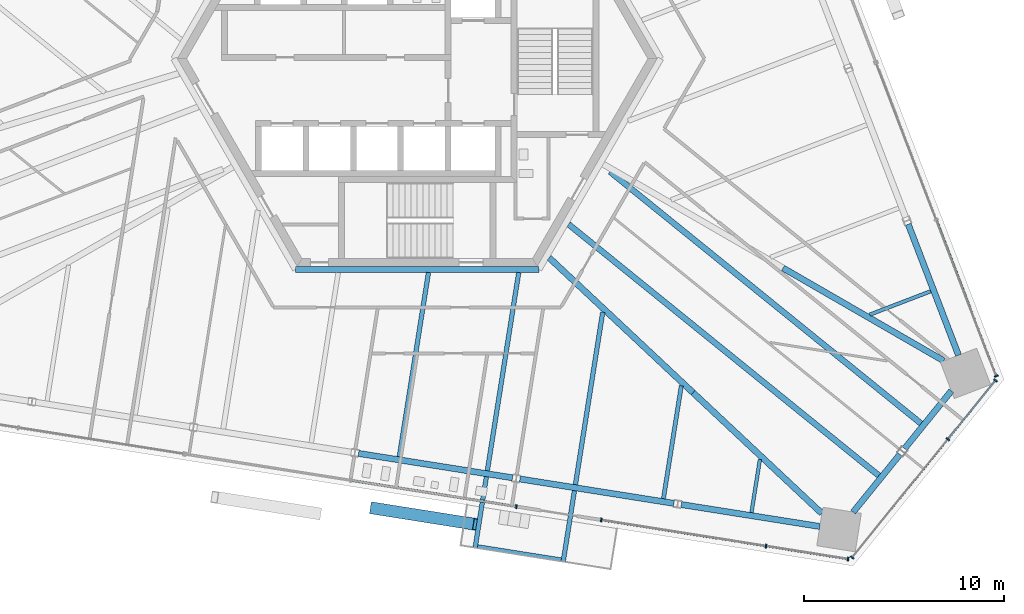
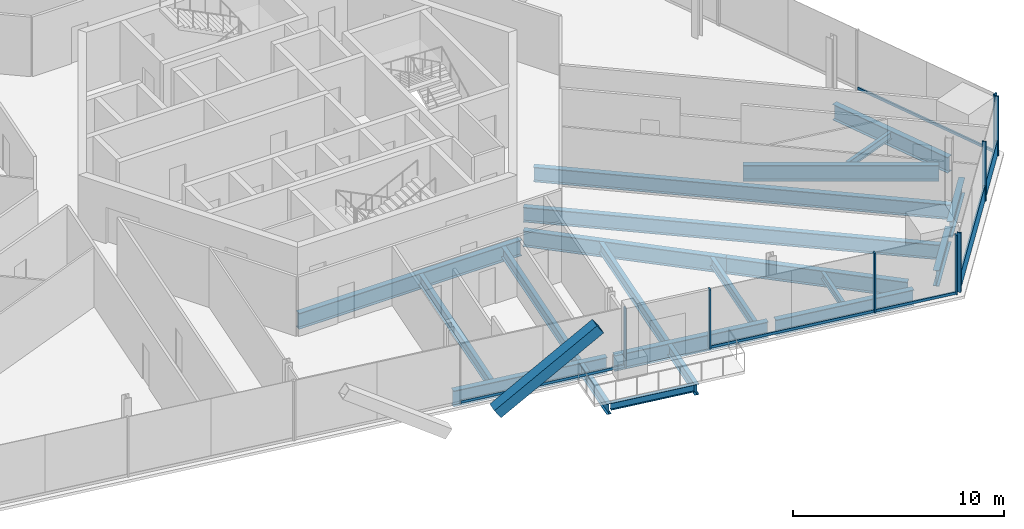
# One storey, part 5 of 18: 21 beams, 15 members, 4 elements without a shape of their own.
"""IFC4 building model written with IfcOpenShell, lengths in metres."""

import ifcopenshell
import ifcopenshell.guid

model = None  # the IFC model being written
_history = None  # IfcOwnerHistory: only IFC2X3 demands one
_inside = {}  # id of a spatial element -> (the spatial element, [elements in it])
_under = {}  # id of a project, library or spatial element -> (it, [spatial elements below it])
_declared = {}  # id of a project -> (the project, [libraries it declares])
_typed = {}  # id of a type object -> (the type object, [elements of that type])
_made_of = {}  # id of a material, layer set ... -> (it, [elements and type objects made of it])


def new_model(schema):
    """Start an empty IFC model of exactly this schema.

    Asked for "IFC4X3", IfcOpenShell would pick the latest addendum, in which some entities
    have other attributes; the version numbers below select the first issue.
    IFC2X3 requires an IfcOwnerHistory on every rooted entity: one is made here for all.
    """
    global model, _history
    if schema == "IFC4X3":
        model = ifcopenshell.file(schema_version=(4, 3, 0, 0))
    else:
        model = ifcopenshell.file(schema=schema)
    _inside.clear()
    _under.clear()
    _declared.clear()
    _typed.clear()
    _made_of.clear()
    _history = None
    if model.schema == "IFC2X3":
        org = make("IfcOrganization", Name="unknown")
        user = make(
            "IfcPersonAndOrganization",
            ThePerson=make("IfcPerson", FamilyName="unknown"),
            TheOrganization=org,
        )
        app = make(
            "IfcApplication",
            ApplicationDeveloper=org,
            Version="unknown",
            ApplicationFullName="unknown",
            ApplicationIdentifier="unknown",
        )
        _history = make(
            "IfcOwnerHistory",
            OwningUser=user,
            OwningApplication=app,
            ChangeAction="ADDED",
            CreationDate=0,
        )
    return model


def make(cls, **values):
    """One entity of the class cls with the attributes given. An attribute that is None is left unset."""
    return model.create_entity(
        cls, **{name: value for name, value in values.items() if value is not None}
    )


def rooted(cls, **values):
    """An entity with a GlobalId (a new one), such as an element, a storey or a relation."""
    return make(cls, GlobalId=ifcopenshell.guid.new(), OwnerHistory=_history, **values)


def si_unit(unit_type, name, prefix=None):
    """IfcSIUnit, for example si_unit("LENGTHUNIT", "METRE", prefix="MILLI")."""
    return make("IfcSIUnit", UnitType=unit_type, Prefix=prefix, Name=name)


def assignment(units):
    """IfcUnitAssignment: the units of a project."""
    return None if units is None else make("IfcUnitAssignment", Units=units)


def point(xyz):
    """IfcCartesianPoint."""
    return None if xyz is None else make("IfcCartesianPoint", Coordinates=xyz)


def direction(xyz):
    """IfcDirection."""
    return None if xyz is None else make("IfcDirection", DirectionRatios=xyz)


def frame(location, z_axis=None, x_axis=None):
    """IfcAxis2Placement3D, a coordinate frame: its origin and axes. An axis left out is left unset."""
    return make(
        "IfcAxis2Placement3D",
        Location=point(location),
        Axis=direction(z_axis),
        RefDirection=direction(x_axis),
    )


def frame_2d(location, x_axis=None):
    """IfcAxis2Placement2D, a coordinate frame in the plane: its origin and x axis."""
    return make(
        "IfcAxis2Placement2D", Location=point(location), RefDirection=direction(x_axis)
    )


def origin():
    """The frame at (0, 0, 0) with its axes left unset."""
    return frame((0.0, 0.0, 0.0))


def origin_2d():
    """The frame at (0, 0) in the plane with its x axis left unset."""
    return frame_2d((0.0, 0.0))


def place(relative_to, where):
    """IfcLocalPlacement: puts the frame where relative to a parent placement (None: the world)."""
    return make(
        "IfcLocalPlacement", PlacementRelTo=relative_to, RelativePlacement=where
    )


def context(
    kind, dimensions, precision=None, world=None, true_north=None, identifier=None
):
    """IfcGeometricRepresentationContext, for example the 3D "Model" context."""
    return make(
        "IfcGeometricRepresentationContext",
        ContextIdentifier=identifier,
        ContextType=kind,
        CoordinateSpaceDimension=dimensions,
        Precision=precision,
        WorldCoordinateSystem=world,
        TrueNorth=true_north,
    )


def subcontext(parent, identifier, kind, view, scale=None):
    """IfcGeometricRepresentationSubContext, for example "Body" below "Model"."""
    return make(
        "IfcGeometricRepresentationSubContext",
        ContextIdentifier=identifier,
        ContextType=kind,
        ParentContext=parent,
        TargetScale=scale,
        TargetView=view,
    )


def project(units=None, contexts=None):
    """IfcProject with its units and contexts."""
    return rooted(
        "IfcProject",
        Name="project",
        RepresentationContexts=contexts,
        UnitsInContext=assignment(units),
    )


def spatial(cls, under=None, at=None, **own):
    """A site, building, storey or space (cls), placed at a placement, below another one or the project."""
    s = rooted(cls, ObjectPlacement=at, **own)
    if under is not None:
        _under.setdefault(under.id(), (under, []))[1].append(s)
    return s


def profile(cls, at=None, kind="AREA", **sizes):
    """A parametric profile (cls). Its sizes go by their IFC names, for example OverallWidth=200.0."""
    return make(cls, ProfileType=kind, Position=at, **sizes)


def rectangle(**sizes):
    """IfcRectangleProfileDef."""
    return profile("IfcRectangleProfileDef", **sizes)


def hollow_rectangle(**sizes):
    """IfcRectangleHollowProfileDef."""
    return profile("IfcRectangleHollowProfileDef", **sizes)


def i_section(**sizes):
    """IfcIShapeProfileDef."""
    return profile("IfcIShapeProfileDef", **sizes)


def extrude(swept, where, along, depth):
    """IfcExtrudedAreaSolid: the profile swept, set in the frame where, extruded along a direction by depth."""
    return make(
        "IfcExtrudedAreaSolid",
        SweptArea=swept,
        Position=where,
        ExtrudedDirection=direction(along),
        Depth=depth,
    )


def shape(context_of_items, identifier, shape_type, items):
    """IfcShapeRepresentation: the items that make up one representation, for example the "Body"."""
    return make(
        "IfcShapeRepresentation",
        ContextOfItems=context_of_items,
        RepresentationIdentifier=identifier,
        RepresentationType=shape_type,
        Items=items,
    )


def source(mapping_origin, context_of_items, identifier, shape_type, items):
    """IfcRepresentationMap: a shape defined once, which mapped items show again and again."""
    return make(
        "IfcRepresentationMap",
        MappingOrigin=mapping_origin,
        MappedRepresentation=shape(context_of_items, identifier, shape_type, items),
    )


def transform(
    local_origin,
    x_axis=None,
    y_axis=None,
    z_axis=None,
    scale=None,
    scale2=None,
    scale3=None,
    uniform=True,
):
    """IfcCartesianTransformationOperator3D, or its non-uniform kind. x_axis, y_axis, z_axis: its Axis1, 2, 3."""
    if uniform:
        return make(
            "IfcCartesianTransformationOperator3D",
            Axis1=direction(x_axis),
            Axis2=direction(y_axis),
            LocalOrigin=point(local_origin),
            Scale=scale,
            Axis3=direction(z_axis),
        )
    return make(
        "IfcCartesianTransformationOperator3DnonUniform",
        Axis1=direction(x_axis),
        Axis2=direction(y_axis),
        LocalOrigin=point(local_origin),
        Scale=scale,
        Axis3=direction(z_axis),
        Scale2=scale2,
        Scale3=scale3,
    )


def mapped(mapping_source, mapping_target):
    """IfcMappedItem: shows the shape of a source again, moved by a transform."""
    return make(
        "IfcMappedItem", MappingSource=mapping_source, MappingTarget=mapping_target
    )


def material(Name=None, Category=None):
    """IfcMaterial."""
    return make("IfcMaterial", Name=Name, Category=Category)


def material_profile(
    of_material, cross_section, Name=None, Category=None, Priority=None
):
    """IfcMaterialProfile: a cross section and its material."""
    return make(
        "IfcMaterialProfile",
        Name=Name,
        Material=of_material,
        Profile=cross_section,
        Priority=Priority,
        Category=Category,
    )


def profile_set(profiles, Name=None, composite=None):
    """IfcMaterialProfileSet."""
    return make(
        "IfcMaterialProfileSet",
        Name=Name,
        MaterialProfiles=profiles,
        CompositeProfile=composite,
    )


def made_of(thing, what):
    """Note that an element or type object is made of a material, layer set ...; save() writes the relation."""
    if what is not None:
        _made_of.setdefault(what.id(), (what, []))[1].append(thing)
    return thing


def type_object(cls, material=None, **own):
    """A type object (cls), such as IfcWallType, which elements share."""
    return made_of(rooted(cls, **own), material)


def element(
    cls,
    number,
    at=None,
    inside=None,
    cuts=None,
    type_object=None,
    material=None,
    context=None,
    identifier="Body",
    shape_type=None,
    held_by="IfcProductDefinitionShape",
    body=None,
    shapes=None,
    **own,
):
    """One element of the class cls, such as IfcWall. Its Tag is "e" and its number.

    at: its placement. inside: the storey or other place that contains it. cuts: it is an
    opening in that element (IfcRelVoidsElement). A single representation is given by context,
    identifier, shape_type and body (its items); several are given by shapes. held_by: the class
    of the entity that holds the representations. save() writes the other relations.
    """
    e = rooted(cls, Tag="e%d" % number, ObjectPlacement=at, **own)
    if body is not None:
        shapes = [shape(context, identifier, shape_type, body)]
    if shapes is not None:
        e.Representation = make(held_by, Representations=shapes)
    if inside is not None:
        _inside.setdefault(inside.id(), (inside, []))[1].append(e)
    if cuts is not None:
        rooted(
            "IfcRelVoidsElement", RelatingBuildingElement=cuts, RelatedOpeningElement=e
        )
    if type_object is not None:
        _typed.setdefault(type_object.id(), (type_object, []))[1].append(e)
    return made_of(e, material)


def aggregate(whole, parts):
    """IfcRelAggregates: a whole, such as a stair, and the parts it consists of."""
    return rooted("IfcRelAggregates", RelatingObject=whole, RelatedObjects=parts)


def save(model, path):
    """Write the relations noted so far, then the file.

    IfcRelAggregates (storeys below a building ...), IfcRelContainedInSpatialStructure (elements
    in a storey), IfcRelDefinesByType, IfcRelAssociatesMaterial and IfcRelDeclares: one each for
    every whole, place, type object, material and project.
    """
    for whole, parts in _under.values():
        aggregate(whole, parts)
    for where, things in _inside.values():
        rooted(
            "IfcRelContainedInSpatialStructure",
            RelatedElements=things,
            RelatingStructure=where,
        )
    for kind, things in _typed.values():
        rooted("IfcRelDefinesByType", RelatedObjects=things, RelatingType=kind)
    for what, things in _made_of.values():
        rooted("IfcRelAssociatesMaterial", RelatedObjects=things, RelatingMaterial=what)
    for by, libraries in _declared.values():
        rooted("IfcRelDeclares", RelatingContext=by, RelatedDefinitions=libraries)
    model.write(path)


model = new_model("IFC4")

# Units and contexts
model_context = context("Model", 3, precision=1e-05, world=origin(), true_north=direction((0.0, 1.0)))
body_context = subcontext(model_context, "Body", "Model", "MODEL_VIEW")
ifc_project = project(units=[si_unit("LENGTHUNIT", "METRE"), si_unit("AREAUNIT", "SQUARE_METRE"), si_unit("VOLUMEUNIT", "CUBIC_METRE"), si_unit("PLANEANGLEUNIT", "RADIAN"), si_unit("MASSUNIT", "GRAM", prefix="KILO")], contexts=[model_context])

# Site, building, storey
site_placement = place(None, origin())
site = spatial("IfcSite", under=ifc_project, at=site_placement, CompositionType="ELEMENT")
building_placement = place(site_placement, origin())
building = spatial("IfcBuilding", under=site, at=building_placement, Name="Triune Harvest Tower", CompositionType="ELEMENT")
storey_placement = place(building_placement, frame((0.0, 0.0, 156.89990234375)))
storey = spatial("IfcBuildingStorey", under=building, at=storey_placement, Name="L40", CompositionType="ELEMENT", Elevation=156.89990234375)

# Beams
ifc_material_1 = material(Name="Steel ASTM A992 Gr 50", Category="steel")
ifc_material_profile_1 = material_profile(ifc_material_1, i_section(OverallWidth=0.3046875, OverallDepth=0.914306640625, WebThickness=0.0166015625, FlangeThickness=0.02587890625, at=origin_2d()), Name="W36x160")
ifc_profile_set_1 = profile_set([ifc_material_profile_1], Name="Steel ASTM A992 Gr 50")
beam_type_1 = type_object("IfcBeamType", Name="CG-1 Core ring girder W36x160", PredefinedType="BEAM", material=ifc_profile_set_1)
shared_shape_1 = source(origin(), body_context, "Body", "SweptSolid", [
    extrude(i_section(OverallWidth=0.3046875, OverallDepth=0.914306640625, WebThickness=0.0166015625, FlangeThickness=0.02587890625, at=origin_2d()), origin(), (0.0, 0.0, 1.0), 12.17578125),
])
beam_1_placement = place(storey_placement, frame((-6.087890625, -10.544677734375, -0.6171875), z_axis=(1.0, 0.0, 0.0), x_axis=(0.0, 1.0, 0.0)))
element("IfcBeam", 1, at=beam_1_placement, inside=storey, type_object=beam_type_1, Name="beam/L40/CG5", PredefinedType="BEAM", context=body_context, shape_type="MappedRepresentation", body=[
    mapped(shared_shape_1, transform((0.0, 0.0, 0.0), scale=1.0)),
])
ifc_material_2 = material(Name="Steel ASTM A992 Gr 50", Category="steel")
ifc_material_profile_2 = material_profile(ifc_material_2, i_section(OverallWidth=0.307373046875, OverallDepth=0.922119140625, WebThickness=0.018310546875, FlangeThickness=0.030029296875, at=origin_2d()), Name="W36x182")
ifc_profile_set_2 = profile_set([ifc_material_profile_2], Name="Steel ASTM A992 Gr 50")
beam_type_2 = type_object("IfcBeamType", Name="HG-2 Hip girder W36x182", PredefinedType="BEAM", material=ifc_profile_set_2)
shared_shape_2 = source(origin(), body_context, "Body", "SweptSolid", [
    extrude(i_section(OverallWidth=0.307373046875, OverallDepth=0.922119140625, WebThickness=0.018310546875, FlangeThickness=0.030029296875, at=origin_2d()), origin(), (0.0, 0.0, 1.0), 9.85888671875),
])
beam_2_placement = place(storey_placement, frame((13.794189453125, -16.702392578125, -0.620849609375), z_axis=(-0.729486233367, 0.683995493646, 0.0), x_axis=(-0.683995493646, -0.729486233367, 0.0)))
element("IfcBeam", 2, at=beam_2_placement, inside=storey, type_object=beam_type_2, Name="beam/L40/HG8", PredefinedType="BEAM", context=body_context, shape_type="MappedRepresentation", body=[
    mapped(shared_shape_2, transform((0.0, 0.0, 0.0), scale=1.0)),
])
ifc_material_3 = material(Name="Steel ASTM A992 Gr 50", Category="steel")
ifc_material_profile_3 = material_profile(ifc_material_3, i_section(OverallWidth=0.3046875, OverallDepth=0.914306640625, WebThickness=0.0166015625, FlangeThickness=0.02587890625, at=origin_2d()), Name="W36x160")
ifc_profile_set_3 = profile_set([ifc_material_profile_3], Name="Steel ASTM A992 Gr 50")
beam_type_3 = type_object("IfcBeamType", Name="SB-1 Spandrel beam W36x160", PredefinedType="SPANDREL", material=ifc_profile_set_3)
shared_shape_3 = source(origin(), body_context, "Body", "SweptSolid", [
    extrude(i_section(OverallWidth=0.3046875, OverallDepth=0.914306640625, WebThickness=0.0166015625, FlangeThickness=0.02587890625, at=origin_2d()), origin(), (0.0, 0.0, 1.0), 7.013427734375),
])
for number, where, z_axis, x_axis, name in (
    (3, (27.07568359375, -14.832275390625, -0.6171875), (-0.358372513984, 0.93357867436, 0.0), (-0.93357867436, -0.358372513984, 0.0), "beam/L40/SB1"),
    (4, (13.210205078125, -22.302978515625, -0.6171875), (0.987687489289, -0.156439839878, 0.0), (0.156439839878, 0.987687489289, 0.0), "beam/L40/SB22"),
):
    element("IfcBeam", number, at=place(storey_placement, frame(where, z_axis=z_axis, x_axis=x_axis)), inside=storey, type_object=beam_type_3, Name=name, PredefinedType="SPANDREL", context=body_context, shape_type="MappedRepresentation", body=[
        mapped(shared_shape_3, transform((0.0, 0.0, 0.0), scale=1.0)),
    ])
shared_shape_4 = source(origin(), body_context, "Body", "SweptSolid", [
    extrude(i_section(OverallWidth=0.3046875, OverallDepth=0.914306640625, WebThickness=0.0166015625, FlangeThickness=0.02587890625, at=origin_2d()), origin(), (0.0, 0.0, 1.0), 3.71240234375),
])
beam_3_placement = place(storey_placement, frame((21.808837890625, -22.677734375, -0.6171875), z_axis=(0.629351453127, 0.777120806855, 0.0), x_axis=(-0.777120806855, 0.629351453127, 0.0)))
element("IfcBeam", 5, at=beam_3_placement, inside=storey, type_object=beam_type_3, Name="beam/L40/SB23", PredefinedType="SPANDREL", context=body_context, shape_type="MappedRepresentation", body=[
    mapped(shared_shape_4, transform((0.0, 0.0, 0.0), scale=1.0)),
])
shared_shape_5 = source(origin(), body_context, "Body", "SweptSolid", [
    extrude(i_section(OverallWidth=0.3046875, OverallDepth=0.914306640625, WebThickness=0.0166015625, FlangeThickness=0.02587890625, at=origin_2d()), origin(), (0.0, 0.0, 1.0), 7.801513671875),
])
beam_4_placement = place(storey_placement, frame((5.135986328125, -21.024169921875, -0.6171875), z_axis=(0.98768800071, -0.156436610974, 0.0), x_axis=(0.156436610974, 0.98768800071, 0.0)))
element("IfcBeam", 6, at=beam_4_placement, inside=storey, type_object=beam_type_3, Name="beam/L40/SB21", PredefinedType="SPANDREL", context=body_context, shape_type="MappedRepresentation", body=[
    mapped(shared_shape_5, transform((0.0, 0.0, 0.0), scale=1.0)),
])
shared_shape_6 = source(origin(), body_context, "Body", "SweptSolid", [
    extrude(i_section(OverallWidth=0.3046875, OverallDepth=0.914306640625, WebThickness=0.0166015625, FlangeThickness=0.02587890625, at=origin_2d()), origin(), (0.0, 0.0, 1.0), 3.712646484375),
])
beam_5_placement = place(storey_placement, frame((24.380126953125, -19.50244140625, -0.6171875), z_axis=(0.629319290748, 0.777146852462, 0.0), x_axis=(-0.777146852462, 0.629319290748, 0.0)))
element("IfcBeam", 7, at=beam_5_placement, inside=storey, type_object=beam_type_3, Name="beam/L40/SB24", PredefinedType="SPANDREL", context=body_context, shape_type="MappedRepresentation", body=[
    mapped(shared_shape_6, transform((0.0, 0.0, 0.0), scale=1.0)),
])
shared_shape_7 = source(origin(), body_context, "Body", "SweptSolid", [
    extrude(i_section(OverallWidth=0.3046875, OverallDepth=0.914306640625, WebThickness=0.0166015625, FlangeThickness=0.02587890625, at=origin_2d()), origin(), (0.0, 0.0, 1.0), 7.80126953125),
])
beam_6_placement = place(storey_placement, frame((-2.938232421875, -19.745361328125, -0.6171875), z_axis=(0.987687234845, -0.15644144631, 0.0), x_axis=(0.15644144631, 0.987687234845, 0.0)))
element("IfcBeam", 8, at=beam_6_placement, inside=storey, type_object=beam_type_3, Name="beam/L40/SB20", PredefinedType="SPANDREL", context=body_context, shape_type="MappedRepresentation", body=[
    mapped(shared_shape_7, transform((0.0, 0.0, 0.0), scale=1.0)),
])
shared_shape_8 = source(origin(), body_context, "Body", "SweptSolid", [
    extrude(i_section(OverallWidth=0.307373046875, OverallDepth=0.922119140625, WebThickness=0.018310546875, FlangeThickness=0.030029296875, at=origin_2d()), origin(), (0.0, 0.0, 1.0), 9.28369140625),
])
beam_7_placement = place(storey_placement, frame((26.33837890625, -15.114990234375, -0.620849609375), z_axis=(-0.86602880926, 0.499994101496, 0.0), x_axis=(-0.499994101496, -0.86602880926, 0.0)))
element("IfcBeam", 9, at=beam_7_placement, inside=storey, type_object=beam_type_2, Name="beam/L40/HG1", PredefinedType="BEAM", context=body_context, shape_type="MappedRepresentation", body=[
    mapped(shared_shape_8, transform((0.0, 0.0, 0.0), scale=1.0)),
])
shared_shape_9 = source(origin(), body_context, "Body", "SweptSolid", [
    extrude(i_section(OverallWidth=0.307373046875, OverallDepth=0.922119140625, WebThickness=0.018310546875, FlangeThickness=0.030029296875, at=origin_2d()), origin(), (0.0, 0.0, 1.0), 8.8369140625),
])
beam_8_placement = place(storey_placement, frame((20.24072265625, -22.746826171875, -0.620849609375), z_axis=(-0.729491540387, 0.683989833626, 0.0), x_axis=(-0.683989833626, -0.729491540387, 0.0)))
element("IfcBeam", 10, at=beam_8_placement, inside=storey, type_object=beam_type_2, Name="beam/L40/HG7", PredefinedType="BEAM", context=body_context, shape_type="MappedRepresentation", body=[
    mapped(shared_shape_9, transform((0.0, 0.0, 0.0), scale=1.0)),
])
ifc_material_4 = material(Name="Steel ASTM A992 Gr 50", Category="steel")
ifc_material_profile_4 = material_profile(ifc_material_4, i_section(OverallWidth=0.180908203125, OverallDepth=0.41650390625, WebThickness=0.010986328125, FlangeThickness=0.01806640625, at=origin_2d()), Name="W16x57")
ifc_profile_set_4 = profile_set([ifc_material_profile_4], Name="Steel ASTM A992 Gr 50")
beam_type_4 = type_object("IfcBeamType", Name="JT-1 Floor joist W16x57", PredefinedType="JOIST", material=ifc_profile_set_4)
shared_shape_10 = source(origin(), body_context, "Body", "SweptSolid", [
    extrude(i_section(OverallWidth=0.180908203125, OverallDepth=0.41650390625, WebThickness=0.010986328125, FlangeThickness=0.01806640625, at=origin_2d()), origin(), (0.0, 0.0, 1.0), 3.260986328125),
])
beam_9_placement = place(storey_placement, frame((25.684814453125, -11.634033203125, -0.3681640625), z_axis=(-0.933600075775, -0.35831675723, 0.0), x_axis=(0.35831675723, -0.933600075775, 0.0)))
element("IfcBeam", 11, at=beam_9_placement, inside=storey, type_object=beam_type_4, Name="beam/L40/JT1", PredefinedType="JOIST", context=body_context, shape_type="MappedRepresentation", body=[
    mapped(shared_shape_10, transform((0.0, 0.0, 0.0), scale=1.0)),
])
ifc_material_5 = material(Name="Steel ASTM A992 Gr 50", Category="steel")
ifc_material_profile_5 = material_profile(ifc_material_5, i_section(OverallWidth=0.2919921875, OverallDepth=0.8583984375, WebThickness=0.01708984375, FlangeThickness=0.031005859375, at=origin_2d()), Name="W33x169")
ifc_profile_set_5 = profile_set([ifc_material_profile_5], Name="Steel ASTM A992 Gr 50")
beam_type_5 = type_object("IfcBeamType", Name="JT-7 Floor joist W33x169", PredefinedType="JOIST", material=ifc_profile_set_5)
shared_shape_11 = source(origin(), body_context, "Body", "SweptSolid", [
    extrude(i_section(OverallWidth=0.2919921875, OverallDepth=0.8583984375, WebThickness=0.01708984375, FlangeThickness=0.031005859375, at=origin_2d()), origin(), (0.0, 0.0, 1.0), 19.97216796875),
])
beam_10_placement = place(storey_placement, frame((23.090087890625, -20.853515625, -0.589111328125), z_axis=(-0.777140102023, 0.629327626779, 0.0), x_axis=(-0.629327626779, -0.777140102023, 0.0)))
element("IfcBeam", 12, at=beam_10_placement, inside=storey, type_object=beam_type_5, Name="beam/L40/JT35", PredefinedType="JOIST", context=body_context, shape_type="MappedRepresentation", body=[
    mapped(shared_shape_11, transform((0.0, 0.0, 0.0), scale=1.0)),
])
shared_shape_12 = source(origin(), body_context, "Body", "SweptSolid", [
    extrude(i_section(OverallWidth=0.2919921875, OverallDepth=0.8583984375, WebThickness=0.01708984375, FlangeThickness=0.031005859375, at=origin_2d()), origin(), (0.0, 0.0, 1.0), 20.01611328125),
])
beam_11_placement = place(storey_placement, frame((25.198486328125, -18.25, -0.589111328125), z_axis=(-0.777142320664, 0.629324887028, 0.0), x_axis=(-0.629324887028, -0.777142320664, 0.0)))
element("IfcBeam", 13, at=beam_11_placement, inside=storey, type_object=beam_type_5, Name="beam/L40/JT36", PredefinedType="JOIST", context=body_context, shape_type="MappedRepresentation", body=[
    mapped(shared_shape_12, transform((0.0, 0.0, 0.0), scale=1.0)),
])
ifc_material_6 = material(Name="Steel ASTM A992 Gr 50", Category="steel")
ifc_material_profile_6 = material_profile(ifc_material_6, i_section(OverallWidth=0.22900390625, OverallDepth=0.612060546875, WebThickness=0.011962890625, FlangeThickness=0.01953125, at=origin_2d()), Name="W24x84")
ifc_profile_set_6 = profile_set([ifc_material_profile_6], Name="Steel ASTM A992 Gr 50")
beam_type_6 = type_object("IfcBeamType", Name="JT-3 Floor joist W24x84", PredefinedType="JOIST", material=ifc_profile_set_6)
shared_shape_13 = source(origin(), body_context, "Body", "SweptSolid", [
    extrude(i_section(OverallWidth=0.22900390625, OverallDepth=0.612060546875, WebThickness=0.011962890625, FlangeThickness=0.01953125, at=origin_2d()), origin(), (0.0, 0.0, 1.0), 9.332275390625),
])
beam_12_placement = place(storey_placement, frame((-0.896728515625, -19.914306640625, -0.466064453125), z_axis=(0.156417974358, 0.987690952321, 0.0), x_axis=(-0.987690952321, 0.156417974358, 0.0)))
element("IfcBeam", 14, at=beam_12_placement, inside=storey, type_object=beam_type_6, Name="beam/L40/JT30", PredefinedType="JOIST", context=body_context, shape_type="MappedRepresentation", body=[
    mapped(shared_shape_13, transform((0.0, 0.0, 0.0), scale=1.0)),
])
shared_shape_14 = source(origin(), body_context, "Body", "SweptSolid", [
    extrude(i_section(OverallWidth=0.22900390625, OverallDepth=0.612060546875, WebThickness=0.011962890625, FlangeThickness=0.01953125, at=origin_2d()), origin(), (0.0, 0.0, 1.0), 10.03857421875),
])
beam_13_placement = place(storey_placement, frame((3.50732421875, -20.612060546875, -0.466064453125), z_axis=(0.156427136615, 0.987689501276, 0.0), x_axis=(-0.987689501276, 0.156427136615, 0.0)))
element("IfcBeam", 15, at=beam_13_placement, inside=storey, type_object=beam_type_6, Name="beam/L40/JT31", PredefinedType="JOIST", context=body_context, shape_type="MappedRepresentation", body=[
    mapped(shared_shape_14, transform((0.0, 0.0, 0.0), scale=1.0)),
])
shared_shape_15 = source(origin(), body_context, "Body", "SweptSolid", [
    extrude(i_section(OverallWidth=0.22900390625, OverallDepth=0.612060546875, WebThickness=0.011962890625, FlangeThickness=0.01953125, at=origin_2d()), origin(), (0.0, 0.0, 1.0), 8.73828125),
])
beam_14_placement = place(storey_placement, frame((7.91162109375, -21.3095703125, -0.466064453125), z_axis=(0.156433147227, 0.987688549315, 0.0), x_axis=(-0.987688549315, 0.156433147227, 0.0)))
element("IfcBeam", 16, at=beam_14_placement, inside=storey, type_object=beam_type_6, Name="beam/L40/JT32", PredefinedType="JOIST", context=body_context, shape_type="MappedRepresentation", body=[
    mapped(shared_shape_15, transform((0.0, 0.0, 0.0), scale=1.0)),
])
ifc_material_7 = material(Name="Steel ASTM A992 Gr 50", Category="steel")
ifc_material_profile_7 = material_profile(ifc_material_7, i_section(OverallWidth=0.2099609375, OverallDepth=0.535888671875, WebThickness=0.010986328125, FlangeThickness=0.017333984375, at=origin_2d()), Name="W21x68")
ifc_profile_set_7 = profile_set([ifc_material_profile_7], Name="Steel ASTM A992 Gr 50")
beam_type_7 = type_object("IfcBeamType", Name="JT-2 Floor joist W21x68", PredefinedType="JOIST", material=ifc_profile_set_7)
shared_shape_16 = source(origin(), body_context, "Body", "SweptSolid", [
    extrude(i_section(OverallWidth=0.2099609375, OverallDepth=0.535888671875, WebThickness=0.010986328125, FlangeThickness=0.017333984375, at=origin_2d()), origin(), (0.0, 0.0, 1.0), 5.712646484375),
])
beam_15_placement = place(storey_placement, frame((12.315673828125, -22.007080078125, -0.427978515625), z_axis=(0.156458528862, 0.98768452896, 0.0), x_axis=(-0.98768452896, 0.156458528862, 0.0)))
element("IfcBeam", 17, at=beam_15_placement, inside=storey, type_object=beam_type_7, Name="beam/L40/JT33", PredefinedType="JOIST", context=body_context, shape_type="MappedRepresentation", body=[
    mapped(shared_shape_16, transform((0.0, 0.0, 0.0), scale=1.0)),
])
shared_shape_17 = source(origin(), body_context, "Body", "SweptSolid", [
    extrude(i_section(OverallWidth=0.180908203125, OverallDepth=0.41650390625, WebThickness=0.010986328125, FlangeThickness=0.01806640625, at=origin_2d()), origin(), (0.0, 0.0, 1.0), 2.6875),
])
beam_16_placement = place(storey_placement, frame((16.719970703125, -22.70458984375, -0.3681640625), z_axis=(0.156438396813, 0.987687717856, 0.0), x_axis=(-0.987687717856, 0.156438396813, 0.0)))
element("IfcBeam", 18, at=beam_16_placement, inside=storey, type_object=beam_type_4, Name="beam/L40/JT34", PredefinedType="JOIST", context=body_context, shape_type="MappedRepresentation", body=[
    mapped(shared_shape_17, transform((0.0, 0.0, 0.0), scale=1.0)),
])

# Member
ifc_material_8 = material(Name="Steel ASTM A572 Gr 50", Category="steel")
ifc_material_profile_8 = material_profile(ifc_material_8, hollow_rectangle(XDim=0.60009765625, YDim=0.60009765625, WallThickness=0.0400390625, at=origin_2d()), Name="Box 600x600x40")
ifc_profile_set_8 = profile_set([ifc_material_profile_8], Name="Steel ASTM A572 Gr 50")
member_type_1 = type_object("IfcMemberType", Name="BR-2 Brace Box 600x600x40", PredefinedType="BRACE", material=ifc_profile_set_8)
shared_shape_18 = source(origin(), body_context, "Body", "SweptSolid", [
    extrude(hollow_rectangle(XDim=0.60009765625, YDim=0.60009765625, WallThickness=0.0400390625, at=origin_2d()), origin(), (0.0, 0.0, 1.0), 6.3291015625),
])
member_1_placement = place(storey_placement, frame((-2.171875, -22.48779296875, 0.0), z_axis=(0.812339415933, -0.128645802371, 0.568818891084), x_axis=(0.156415343348, 0.987691368984, 0.0)))
element("IfcMember", 19, at=member_1_placement, inside=storey, type_object=member_type_1, Name="brace/B4-F5/d1/6", PredefinedType="BRACE", context=body_context, shape_type="MappedRepresentation", body=[
    mapped(shared_shape_18, transform((0.0, 0.0, 0.0), scale=1.0)),
])

# Beams
ifc_material_9 = material(Name="Steel ASTM A992 Gr 50", Category="steel")
ifc_material_profile_9 = material_profile(ifc_material_9, i_section(OverallWidth=0.22900390625, OverallDepth=0.612060546875, WebThickness=0.011962890625, FlangeThickness=0.01953125, at=origin_2d()), Name="W24x84")
ifc_profile_set_9 = profile_set([ifc_material_profile_9], Name="Steel ASTM A992 Gr 50")
beam_type_8 = type_object("IfcBeamType", Name="BJ-3 Balcony cantilever joist W24x84", PredefinedType="JOIST", material=ifc_profile_set_9)
shared_shape_19 = source(origin(), body_context, "Body", "SweptSolid", [
    extrude(i_section(OverallWidth=0.22900390625, OverallDepth=0.612060546875, WebThickness=0.011962890625, FlangeThickness=0.01953125, at=origin_2d()), origin(), (0.0, 0.0, 1.0), 3.59765625),
])
beam_17_placement = place(storey_placement, frame((7.864013671875, -21.610595703125, -0.466064453125), z_axis=(-0.156492249856, -0.987679186647, 0.0), x_axis=(0.987679186647, -0.156492249856, 0.0)))
element("IfcBeam", 20, at=beam_17_placement, inside=storey, type_object=beam_type_8, Name="Balcony cantilever joist B4-F5 L40.9a", PredefinedType="JOIST", context=body_context, shape_type="MappedRepresentation", body=[
    mapped(shared_shape_19, transform((0.0, 0.0, 0.0), scale=1.0)),
])
shared_shape_20 = source(origin(), body_context, "Body", "SweptSolid", [
    extrude(i_section(OverallWidth=0.22900390625, OverallDepth=0.612060546875, WebThickness=0.011962890625, FlangeThickness=0.01953125, at=origin_2d()), origin(), (0.0, 0.0, 1.0), 3.597412109375),
])
beam_18_placement = place(storey_placement, frame((3.459716796875, -20.9130859375, -0.466064453125), z_axis=(-0.156426047682, -0.987689673737, 0.0), x_axis=(0.987689673737, -0.156426047682, 0.0)))
element("IfcBeam", 21, at=beam_18_placement, inside=storey, type_object=beam_type_8, Name="Balcony cantilever joist B4-F5 L40.9b", PredefinedType="JOIST", context=body_context, shape_type="MappedRepresentation", body=[
    mapped(shared_shape_20, transform((0.0, 0.0, 0.0), scale=1.0)),
])

# Curtain wall, members
ifc_material_10 = material(Name="Aluminium bronze anodised", Category="aluminium")
curtain_wall_type_1 = type_object("IfcCurtainWallType", Name="CW-1 Tower stick curtain wall", PredefinedType="NOTDEFINED", material=ifc_material_10)
curtain_wall_1_placement = place(storey_placement, origin())
curtain_wall_1 = element("IfcCurtainWall", 22, at=curtain_wall_1_placement, inside=storey, type_object=curtain_wall_type_1, Name="CW-1 B4-F6 L40 run 1")
ifc_material_11 = material(Name="Aluminium bronze anodised", Category="aluminium")
ifc_material_profile_10 = material_profile(ifc_material_11, rectangle(XDim=0.199951171875, YDim=0.074951171875, at=origin_2d()), Name="MU-1 mullion 75 x 200")
ifc_profile_set_10 = profile_set([ifc_material_profile_10], Name="Aluminium bronze anodised")
member_type_2 = type_object("IfcMemberType", Name="MU-1 mullion 75 x 200", PredefinedType="MULLION", material=ifc_profile_set_10)
shared_shape_21 = source(origin(), body_context, "Body", "SweptSolid", [
    extrude(rectangle(XDim=0.199951171875, YDim=0.074951171875, at=origin_2d()), origin(), (0.0, 0.0, 1.0), 3.440185546875),
])
member_2_placement = place(storey_placement, frame((21.755126953125, -24.95068359375, 0.0), z_axis=(0.0, 0.0, 1.0), x_axis=(-0.777145544932, 0.629320905414, 0.0)))
member_2 = element("IfcMember", 23, at=member_2_placement, type_object=member_type_2, Name="CW-1 mullion B4-F6 1.1", PredefinedType="MULLION", context=body_context, shape_type="MappedRepresentation", body=[
    mapped(shared_shape_21, transform((0.0, 0.0, 0.0), scale=1.0)),
])
member_3_placement = place(storey_placement, frame((26.54541015625, -19.035400390625, 0.0), z_axis=(0.0, 0.0, 1.0), x_axis=(-0.777145544932, 0.629320905414, 0.0)))
member_3 = element("IfcMember", 24, at=member_3_placement, type_object=member_type_2, Name="CW-1 mullion B4-F6 1.3", PredefinedType="MULLION", context=body_context, shape_type="MappedRepresentation", body=[
    mapped(shared_shape_21, transform((0.0, 0.0, 0.0), scale=1.0)),
])
member_4_placement = place(storey_placement, frame((28.9287109375, -16.09228515625, 0.0), z_axis=(0.0, 0.0, 1.0), x_axis=(-0.777145544932, 0.629320905414, 0.0)))
member_4 = element("IfcMember", 25, at=member_4_placement, type_object=member_type_2, Name="CW-1 mullion B4-F6 1.4", PredefinedType="MULLION", context=body_context, shape_type="MappedRepresentation", body=[
    mapped(shared_shape_21, transform((0.0, 0.0, 0.0), scale=1.0)),
])

# Curtain wall, member
ifc_material_12 = material(Name="Aluminium bronze anodised", Category="aluminium")
curtain_wall_type_2 = type_object("IfcCurtainWallType", Name="CW-6 Balcony window wall", PredefinedType="NOTDEFINED", material=ifc_material_12)
curtain_wall_2_placement = place(storey_placement, origin())
curtain_wall_2 = element("IfcCurtainWall", 26, at=curtain_wall_2_placement, inside=storey, type_object=curtain_wall_type_2, Name="CW-6 B4-F1 L40 run 1")
ifc_material_13 = material(Name="Aluminium bronze anodised", Category="aluminium")
ifc_material_profile_11 = material_profile(ifc_material_13, rectangle(XDim=0.199951171875, YDim=0.074951171875, at=origin_2d()), Name="MU-6 mullion 75 x 200")
ifc_profile_set_11 = profile_set([ifc_material_profile_11], Name="Aluminium bronze anodised")
member_type_3 = type_object("IfcMemberType", Name="MU-6 mullion 75 x 200", PredefinedType="MULLION", material=ifc_profile_set_11)
shared_shape_22 = source(origin(), body_context, "Body", "SweptSolid", [
    extrude(rectangle(XDim=0.199951171875, YDim=0.074951171875, at=origin_2d()), origin(), (0.0, 0.0, 1.0), 3.440185546875),
])
member_5_placement = place(storey_placement, frame((28.963134765625, -15.874267578125, 0.0), z_axis=(0.0, 0.0, 1.0), x_axis=(-0.933580617165, -0.358367452837, 0.0)))
member_5 = element("IfcMember", 27, at=member_5_placement, type_object=member_type_3, Name="CW-6 mullion B4-F1 1.1", PredefinedType="MULLION", context=body_context, shape_type="MappedRepresentation", body=[
    mapped(shared_shape_22, transform((0.0, 0.0, 0.0), scale=1.0)),
])

ifc_material_14 = material(Name="Aluminium bronze anodised", Category="aluminium")
curtain_wall_type_3 = type_object("IfcCurtainWallType", Name="CW-10 Balcony window wall with insulated spandrel infill", PredefinedType="NOTDEFINED", material=ifc_material_14)
curtain_wall_3_placement = place(storey_placement, origin())
curtain_wall_3 = element("IfcCurtainWall", 28, at=curtain_wall_3_placement, inside=storey, type_object=curtain_wall_type_3, Name="CW-10 B4-F5 L40 run 1001")
member_6_placement = place(storey_placement, frame((4.961181640625, -22.402587890625, 0.0), z_axis=(0.0, 0.0, 1.0), x_axis=(0.156433288984, 0.987688526863, 0.0)))
member_6 = element("IfcMember", 29, at=member_6_placement, type_object=member_type_3, Name="CW-10 mullion B4-F5 1001.5", PredefinedType="MULLION", context=body_context, shape_type="MappedRepresentation", body=[
    mapped(shared_shape_22, transform((0.0, 0.0, 0.0), scale=1.0)),
])

# Curtain wall, members
curtain_wall_4_placement = place(storey_placement, origin())
curtain_wall_4 = element("IfcCurtainWall", 30, at=curtain_wall_4_placement, inside=storey, type_object=curtain_wall_type_2, Name="CW-6 B4-F5 L40 run 2")
member_7_placement = place(storey_placement, frame((9.20458984375, -23.07470703125, 0.0), z_axis=(0.0, 0.0, 1.0), x_axis=(0.156434974453, 0.987688259912, 0.0)))
member_7 = element("IfcMember", 31, at=member_7_placement, type_object=member_type_3, Name="CW-6 mullion B4-F5 2.1", PredefinedType="MULLION", context=body_context, shape_type="MappedRepresentation", body=[
    mapped(shared_shape_22, transform((0.0, 0.0, 0.0), scale=1.0)),
])
member_8_placement = place(storey_placement, frame((17.446533203125, -24.380126953125, 0.0), z_axis=(0.0, 0.0, 1.0), x_axis=(0.156434974453, 0.987688259912, 0.0)))
member_8 = element("IfcMember", 32, at=member_8_placement, type_object=member_type_3, Name="CW-6 mullion B4-F5 2.3", PredefinedType="MULLION", context=body_context, shape_type="MappedRepresentation", body=[
    mapped(shared_shape_22, transform((0.0, 0.0, 0.0), scale=1.0)),
])
member_9_placement = place(storey_placement, frame((21.549072265625, -25.02978515625, 0.0), z_axis=(0.0, 0.0, 1.0), x_axis=(0.156434974453, 0.987688259912, 0.0)))
member_9 = element("IfcMember", 33, at=member_9_placement, type_object=member_type_3, Name="CW-6 mullion B4-F5 2.4", PredefinedType="MULLION", context=body_context, shape_type="MappedRepresentation", body=[
    mapped(shared_shape_22, transform((0.0, 0.0, 0.0), scale=1.0)),
])

# Member
ifc_material_15 = material(Name="Aluminium bronze anodised", Category="aluminium")
ifc_material_profile_12 = material_profile(ifc_material_15, rectangle(XDim=0.090087890625, YDim=0.89990234375, at=origin_2d()), Name="TR-1 transom 90 x 900")
ifc_profile_set_12 = profile_set([ifc_material_profile_12], Name="Aluminium bronze anodised")
member_type_4 = type_object("IfcMemberType", Name="TR-1 transom 90 x 900", PredefinedType="USERDEFINED", material=ifc_profile_set_12)
shared_shape_23 = source(origin(), body_context, "Body", "SweptSolid", [
    extrude(rectangle(XDim=0.090087890625, YDim=0.89990234375, at=origin_2d()), origin(), (0.0, 0.0, 1.0), 7.53662109375),
])
member_10_placement = place(storey_placement, frame((21.77880859375, -24.921630859375, 0.4501953125), z_axis=(0.629310046563, 0.777154338143, 0.0), x_axis=(-0.777154338143, 0.629310046563, 0.0)))
member_10 = element("IfcMember", 34, at=member_10_placement, type_object=member_type_4, Name="CW-1 transom B4-F6 1.1", ObjectType="TRANSOM", PredefinedType="USERDEFINED", context=body_context, shape_type="MappedRepresentation", body=[
    mapped(shared_shape_23, transform((0.0, 0.0, 0.0), scale=1.0)),
])

shared_shape_24 = source(origin(), body_context, "Body", "SweptSolid", [
    extrude(rectangle(XDim=0.090087890625, YDim=0.89990234375, at=origin_2d()), origin(), (0.0, 0.0, 1.0), 3.712158203125),
])
member_11_placement = place(storey_placement, frame((26.569091796875, -19.00634765625, 0.4501953125), z_axis=(0.629272012567, 0.777185135087, 0.0), x_axis=(-0.777185135087, 0.629272012567, 0.0)))
member_11 = element("IfcMember", 35, at=member_11_placement, type_object=member_type_4, Name="CW-1 transom B4-F6 1.2", ObjectType="TRANSOM", PredefinedType="USERDEFINED", context=body_context, shape_type="MappedRepresentation", body=[
    mapped(shared_shape_24, transform((0.0, 0.0, 0.0), scale=1.0)),
])

aggregate(curtain_wall_1, [member_2, member_3, member_4, member_10, member_11])

ifc_material_16 = material(Name="Aluminium bronze anodised", Category="aluminium")
ifc_material_profile_13 = material_profile(ifc_material_16, rectangle(XDim=0.090087890625, YDim=0.14990234375, at=origin_2d()), Name="TR-6 transom 90 x 150")
ifc_profile_set_13 = profile_set([ifc_material_profile_13], Name="Aluminium bronze anodised")
member_type_5 = type_object("IfcMemberType", Name="TR-6 transom 90 x 150", PredefinedType="USERDEFINED", material=ifc_profile_set_13)
shared_shape_25 = source(origin(), body_context, "Body", "SweptSolid", [
    extrude(rectangle(XDim=0.090087890625, YDim=0.14990234375, at=origin_2d()), origin(), (0.0, 0.0, 1.0), 8.30712890625),
])
member_12_placement = place(storey_placement, frame((28.94970703125, -15.839111328125, 0.0751953125), z_axis=(-0.358372433756, 0.933578705158, 0.0), x_axis=(-0.933578705158, -0.358372433756, 0.0)))
member_12 = element("IfcMember", 36, at=member_12_placement, type_object=member_type_5, Name="CW-6 transom B4-F1 1.1", ObjectType="TRANSOM", PredefinedType="USERDEFINED", context=body_context, shape_type="MappedRepresentation", body=[
    mapped(shared_shape_25, transform((0.0, 0.0, 0.0), scale=1.0)),
])

aggregate(curtain_wall_2, [member_5, member_12])

shared_shape_26 = source(origin(), body_context, "Body", "SweptSolid", [
    extrude(rectangle(XDim=0.090087890625, YDim=0.14990234375, at=origin_2d()), origin(), (0.0, 0.0, 1.0), 8.307373046875),
])
member_13_placement = place(storey_placement, frame((-3.28076171875, -21.09716796875, 0.0751953125), z_axis=(0.987688269171, -0.156434915996, 0.0), x_axis=(0.156434915996, 0.987688269171, 0.0)))
member_13 = element("IfcMember", 37, at=member_13_placement, type_object=member_type_5, Name="CW-10 transom B4-F5 1001.2", ObjectType="TRANSOM", PredefinedType="USERDEFINED", context=body_context, shape_type="MappedRepresentation", body=[
    mapped(shared_shape_26, transform((0.0, 0.0, 0.0), scale=1.0)),
])

aggregate(curtain_wall_3, [member_6, member_13])

shared_shape_27 = source(origin(), body_context, "Body", "SweptSolid", [
    extrude(rectangle(XDim=0.090087890625, YDim=0.14990234375, at=origin_2d()), origin(), (0.0, 0.0, 1.0), 8.269775390625),
])
member_14_placement = place(storey_placement, frame((9.241455078125, -23.08056640625, 0.0751953125), z_axis=(0.987687929315, -0.156437061736, 0.0), x_axis=(0.156437061736, 0.987687929315, 0.0)))
member_14 = element("IfcMember", 38, at=member_14_placement, type_object=member_type_5, Name="CW-6 transom B4-F5 2.1", ObjectType="TRANSOM", PredefinedType="USERDEFINED", context=body_context, shape_type="MappedRepresentation", body=[
    mapped(shared_shape_27, transform((0.0, 0.0, 0.0), scale=1.0)),
])

shared_shape_28 = source(origin(), body_context, "Body", "SweptSolid", [
    extrude(rectangle(XDim=0.090087890625, YDim=0.14990234375, at=origin_2d()), origin(), (0.0, 0.0, 1.0), 4.07861328125),
])
member_15_placement = place(storey_placement, frame((17.483642578125, -24.385986328125, 0.0751953125), z_axis=(0.987691515216, -0.156414419955, 0.0), x_axis=(0.156414419955, 0.987691515216, 0.0)))
member_15 = element("IfcMember", 39, at=member_15_placement, type_object=member_type_5, Name="CW-6 transom B4-F5 2.2", ObjectType="TRANSOM", PredefinedType="USERDEFINED", context=body_context, shape_type="MappedRepresentation", body=[
    mapped(shared_shape_28, transform((0.0, 0.0, 0.0), scale=1.0)),
])

aggregate(curtain_wall_4, [member_7, member_8, member_9, member_14, member_15])

# Beam
ifc_material_17 = material(Name="Steel ASTM A992 Gr 50", Category="steel")
ifc_material_profile_14 = material_profile(ifc_material_17, i_section(OverallWidth=0.180908203125, OverallDepth=0.41650390625, WebThickness=0.010986328125, FlangeThickness=0.01806640625, at=origin_2d()), Name="W16x57")
ifc_profile_set_14 = profile_set([ifc_material_profile_14], Name="Steel ASTM A992 Gr 50")
beam_type_9 = type_object("IfcBeamType", Name="BE-1 balcony edge beam W16x57", PredefinedType="BEAM", material=ifc_profile_set_14)
shared_shape_29 = source(origin(), body_context, "Body", "SweptSolid", [
    extrude(i_section(OverallWidth=0.180908203125, OverallDepth=0.41650390625, WebThickness=0.010986328125, FlangeThickness=0.01806640625, at=origin_2d()), origin(), (0.0, 0.0, 1.0), 4.229736328125),
])
beam_19_placement = place(storey_placement, frame((3.0244140625, -24.39501953125, -0.3681640625), z_axis=(0.987690788876, -0.15641900642, 0.0), x_axis=(0.15641900642, 0.987690788876, 0.0)))
element("IfcBeam", 40, at=beam_19_placement, inside=storey, type_object=beam_type_9, Name="Balcony edge beam B4-F5 L40.9", PredefinedType="BEAM", context=body_context, shape_type="MappedRepresentation", body=[
    mapped(shared_shape_29, transform((0.0, 0.0, 0.0), scale=1.0)),
])

save(model, "model.ifc")
